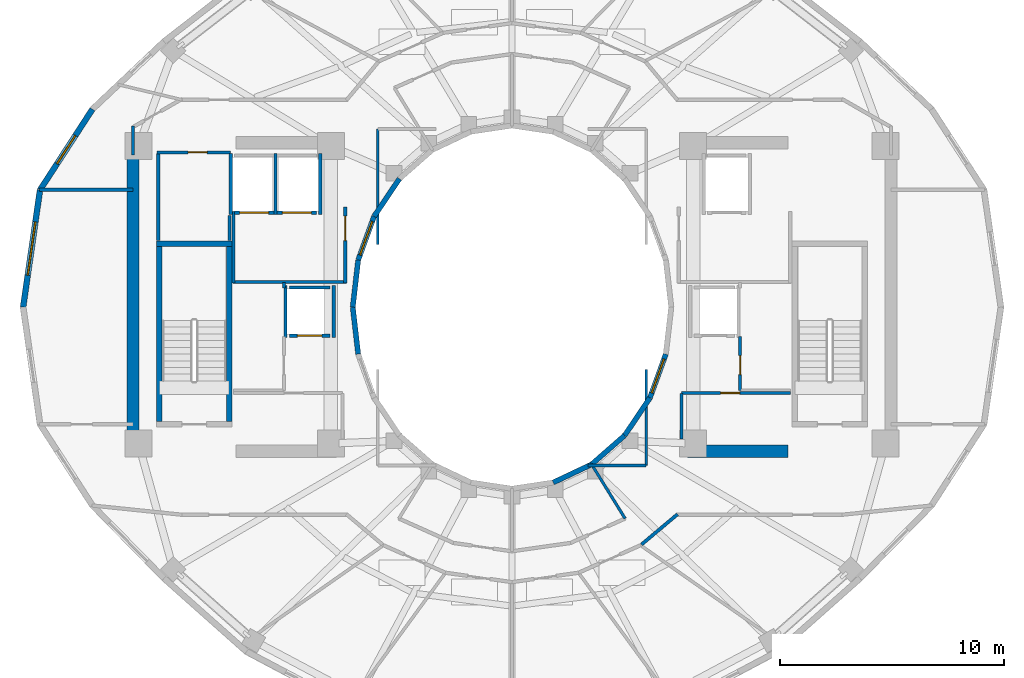
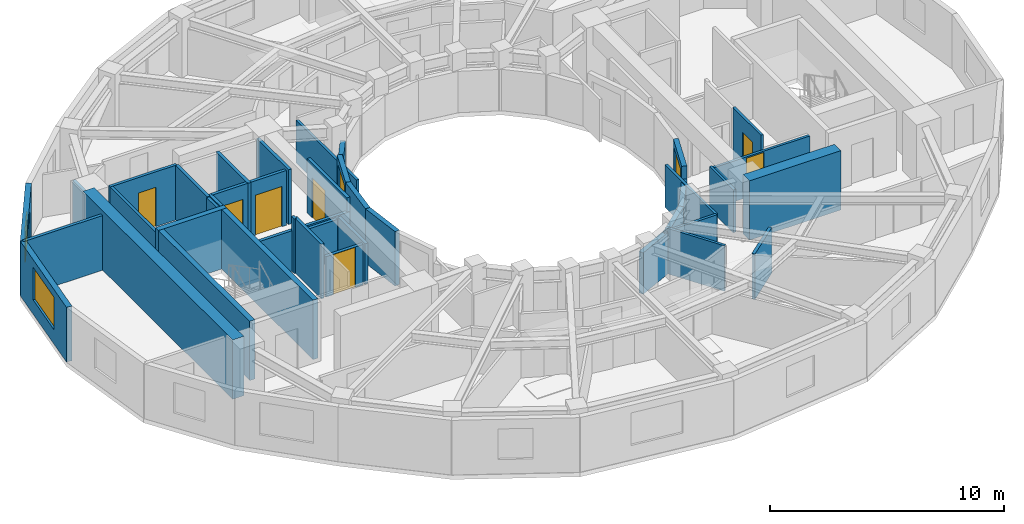
# One storey, part 4 of 9: 41 walls, 7 doors, 4 windows, 11 openings.
"""IFC4 building model written with IfcOpenShell, lengths in metres."""

from ifc_helpers import new_model, si_unit, direction, frame, frame_2d, origin, place, context, subcontext, project, spatial, rectangle, extrude, material, layer, layer_set, type_object, element, fill, save


model = new_model("IFC4")

# Units and contexts
model_context = context("Model", 3, precision=1e-05, world=origin(), true_north=direction((0.0, 1.0)))
body_context = subcontext(model_context, "Body", "Model", "MODEL_VIEW")
ifc_project = project(units=[si_unit("LENGTHUNIT", "METRE"), si_unit("AREAUNIT", "SQUARE_METRE"), si_unit("VOLUMEUNIT", "CUBIC_METRE"), si_unit("PLANEANGLEUNIT", "RADIAN"), si_unit("MASSUNIT", "GRAM", prefix="KILO")], contexts=[model_context])

# Site, building, storey
site_placement = place(None, origin())
site = spatial("IfcSite", under=ifc_project, at=site_placement, CompositionType="ELEMENT")
building_placement = place(site_placement, origin())
building = spatial("IfcBuilding", under=site, at=building_placement, Name="Solvane Sanctuary Tower", CompositionType="ELEMENT")
storey_placement = place(building_placement, frame((0.0, 0.0, 229.5)))
storey = spatial("IfcBuildingStorey", under=building, at=storey_placement, Name="L70", CompositionType="ELEMENT", Elevation=229.5)

# Walls
ifc_material_1 = material(Name="Concrete C50/60", Category="concrete")
ifc_layer_1 = layer(ifc_material_1, 0.550048828125, Name="Concrete C50/60")
ifc_layer_set_1 = layer_set([ifc_layer_1], Name="Concrete C50/60")
wall_type_1 = type_object("IfcWallType", Name="Wall W-CORE-550", PredefinedType="SHEAR", material=ifc_layer_set_1)
wall_1_placement = place(storey_placement, frame((15.050048828125, 17.050048828125, 0.0), z_axis=(0.0, 0.0, 1.0), x_axis=(0.0, 1.0, 0.0)))
element("IfcWall", 1, at=wall_1_placement, inside=storey, type_object=wall_type_1, Name="L70 Core Shear Wall WC-W", PredefinedType="SHEAR", context=body_context, shape_type="SweptSolid", body=[
    extrude(rectangle(XDim=12.800048828125, YDim=0.550048828125, at=frame_2d((6.39990234375, 0.0))), origin(), (0.0, 0.0, 1.0), 3.10009765625),
])
wall_2_placement = place(storey_placement, frame((39.85009765625, 16.550048828125, 0.0), z_axis=(0.0, 0.0, 1.0), x_axis=(1.0, 0.0, 0.0)))
element("IfcWall", 2, at=wall_2_placement, inside=storey, type_object=wall_type_1, Name="L70 Core Shear Wall EC-S", PredefinedType="SHEAR", context=body_context, shape_type="SweptSolid", body=[
    extrude(rectangle(XDim=4.5, YDim=0.550048828125, at=frame_2d((2.25, 0.0))), origin(), (0.0, 0.0, 1.0), 3.10009765625),
])
ifc_material_2 = material(Name="Acoustic Gypsum Partition Board")
ifc_layer_2 = layer(ifc_material_2, 0.14990234375, Name="Acoustic Gypsum Partition Board")
ifc_layer_set_2 = layer_set([ifc_layer_2], Name="Acoustic Gypsum Partition Board")
wall_type_2 = type_object("IfcWallType", Name="Wall W-CORR-150", PredefinedType="PARTITIONING", material=ifc_layer_set_2)
wall_3_placement = place(storey_placement, frame((19.52001953125, 24.1201171875, 0.0), z_axis=(0.0, 0.0, 1.0), x_axis=(1.0, 0.0, 0.0)))
element("IfcWall", 3, at=wall_3_placement, inside=storey, type_object=wall_type_2, Name="L70 West Firefighting Lobby South Wall", PredefinedType="PARTITIONING", context=body_context, shape_type="SweptSolid", body=[
    extrude(rectangle(XDim=5.080078125, YDim=0.14990234375, at=frame_2d((2.5400390625, 0.0))), origin(), (0.0, 0.0, 1.0), 2.1201171875),
])
wall_4_placement = place(storey_placement, frame((19.550048828125, 24.080078125, 0.0), z_axis=(0.0, 0.0, 1.0), x_axis=(0.0, 1.0, 0.0)))
element("IfcWall", 4, at=wall_4_placement, inside=storey, type_object=wall_type_2, Name="L70 West Firefighting Lobby West Wall", PredefinedType="PARTITIONING", context=body_context, shape_type="SweptSolid", body=[
    extrude(rectangle(XDim=3.199951171875, YDim=0.14990234375, at=frame_2d((1.60009765625, 0.0))), origin(), (0.0, 0.0, 1.0), 2.85498046875),
])

# Wall, opening, door
wall_5_placement = place(storey_placement, frame((24.550048828125, 24.080078125, 0.0), z_axis=(0.0, 0.0, 1.0), x_axis=(0.0, 1.0, 0.0)))
wall_5 = element("IfcWall", 5, at=wall_5_placement, inside=storey, type_object=wall_type_2, Name="L70 West Firefighting Lobby East Wall", PredefinedType="PARTITIONING", context=body_context, shape_type="SweptSolid", body=[
    extrude(rectangle(XDim=3.39990234375, YDim=0.14990234375, at=frame_2d((1.699951171875, 0.0))), origin(), (0.0, 0.0, 1.0), 2.85498046875),
])
opening_1_placement = place(wall_5_placement, frame((1.893798828125, 0.0, 0.0)))
opening_1 = element("IfcOpeningElement", 6, at=opening_1_placement, cuts=wall_5, Name="Opening D-L70-03", PredefinedType="OPENING", context=body_context, shape_type="SweptSolid", body=[
    extrude(rectangle(XDim=1.10009765625, YDim=2.10009765625, at=frame_2d((0.550048828125, 1.050048828125))), frame((0.0, 0.0849609375, 0.0), z_axis=(0.0, -1.0, 0.0), x_axis=(1.0, 0.0, 0.0)), (0.0, 0.0, 1.0), 0.169921875),
])
ifc_material_3 = material(Name="Architectural Stainless Steel 316", Category="steel")
door_type_1 = type_object("IfcDoorType", Name="Door D-FFL", OperationType="NOTDEFINED", PredefinedType="DOOR", material=ifc_material_3)
door_1_placement = place(opening_1_placement, origin())
door_1 = element("IfcDoor", 7, at=door_1_placement, inside=storey, type_object=door_type_1, Name="L70 West Firefighting Lobby Fire Door", OperationType="SINGLE_SWING_RIGHT", OverallHeight=2.10009765625, OverallWidth=1.10009765625, PredefinedType="DOOR", context=body_context, shape_type="SweptSolid", body=[
    extrude(rectangle(XDim=1.10009765625, YDim=2.10009765625, at=frame_2d((0.550048828125, 1.050048828125))), frame((0.0, 0.02490234375, 0.0), z_axis=(0.0, -1.0, 0.0), x_axis=(1.0, 0.0, 0.0)), (0.0, 0.0, 1.0), 0.050048828125),
])
fill(opening_1, door_1)

# Walls
wall_6_placement = place(storey_placement, frame((10.87548828125, 28.245361328125, 0.0), z_axis=(0.0, 0.0, 1.0), x_axis=(1.0, 0.0, 0.0)))
element("IfcWall", 8, at=wall_6_placement, inside=storey, type_object=wall_type_2, Name="L70 West Shoulder North Wall", PredefinedType="PARTITIONING", context=body_context, shape_type="SweptSolid", body=[
    extrude(rectangle(XDim=4.174560546875, YDim=0.14990234375, at=frame_2d((2.08740234375, 0.0))), origin(), (0.0, 0.0, 1.0), 2.85498046875),
])
wall_7_placement = place(storey_placement, frame((15.050048828125, 29.800048828125, 0.0), z_axis=(0.0, 0.0, 1.0), x_axis=(0.0, 1.0, 0.0)))
element("IfcWall", 9, at=wall_7_placement, inside=storey, type_object=wall_type_2, Name="L70 NW Corner Closer 1", PredefinedType="PARTITIONING", context=body_context, shape_type="SweptSolid", body=[
    extrude(rectangle(XDim=1.2900390625, YDim=0.14990234375, at=frame_2d((0.64501953125, 0.0))), origin(), (0.0, 0.0, 1.0), 2.85498046875),
])
wall_8_placement = place(storey_placement, frame((37.791015625, 12.385009765625, 0.0), z_axis=(0.0, 0.0, 1.0), x_axis=(0.765677451641, 0.643224719711, 0.0)))
element("IfcWall", 10, at=wall_8_placement, inside=storey, type_object=wall_type_2, Name="L70 SE Corner Throat Wall", PredefinedType="PARTITIONING", context=body_context, shape_type="SweptSolid", body=[
    extrude(rectangle(XDim=2.10546875, YDim=0.14990234375, at=frame_2d((1.052734375, 0.0))), origin(), (0.0, 0.0, 1.0), 2.3759765625),
])

# Wall, opening, window
ifc_material_4 = material(Name="Precast concrete C40/50", Category="concrete")
ifc_layer_3 = layer(ifc_material_4, 0.260009765625, Name="Precast concrete C40/50")
ifc_layer_set_3 = layer_set([ifc_layer_3], Name="Precast concrete C40/50")
wall_type_3 = type_object("IfcWallType", Name="Wall W-EXT-250", PredefinedType="STANDARD", material=ifc_layer_set_3)
wall_9_placement = place(storey_placement, frame((13.239013671875, 31.849365234375, 0.0), z_axis=(0.0, 0.0, 1.0), x_axis=(-0.544475908819, -0.838776480784, 0.0)))
wall_9 = element("IfcWall", 11, at=wall_9_placement, inside=storey, type_object=wall_type_3, Name="L70 Ceramic-Printed Facade Wall 10", PredefinedType="STANDARD", context=body_context, shape_type="SweptSolid", body=[
    extrude(rectangle(XDim=4.3046875, YDim=0.260009765625, at=frame_2d((2.15234375, 0.0))), origin(), (0.0, 0.0, 1.0), 2.85009765625),
])
opening_2_placement = place(wall_9_placement, frame((1.40234375, 0.0, 0.75)))
opening_2 = element("IfcOpeningElement", 12, at=opening_2_placement, cuts=wall_9, Name="Opening WN-OPER-1500", PredefinedType="OPENING", context=body_context, shape_type="SweptSolid", body=[
    extrude(rectangle(XDim=1.5, YDim=1.60009765625, at=frame_2d((0.75, 0.800048828125))), frame((0.0, 0.139892578125, 0.0), z_axis=(0.0, -1.0, 0.0), x_axis=(1.0, 0.0, 0.0)), (0.0, 0.0, 1.0), 0.280029296875),
])
ifc_material_5 = material(Name="Dark Ceramic-Fritted Low-E Glass", Category="glass")
window_type_1 = type_object("IfcWindowType", Name="Window WN-OPER-1500", PartitioningType="SINGLE_PANEL", PredefinedType="WINDOW", material=ifc_material_5)
window_1_placement = place(opening_2_placement, origin())
window_1 = element("IfcWindow", 13, at=window_1_placement, inside=storey, type_object=window_type_1, Name="L70 Operable Facade Window 10", OverallHeight=1.60009765625, OverallWidth=1.5, PartitioningType="SINGLE_PANEL", PredefinedType="WINDOW", context=body_context, shape_type="SweptSolid", body=[
    extrude(rectangle(XDim=1.5, YDim=1.60009765625, at=frame_2d((0.75, 0.800048828125))), frame((0.0, 0.030029296875, 0.0), z_axis=(0.0, -1.0, 0.0), x_axis=(1.0, 0.0, 0.0)), (0.0, 0.0, 1.0), 0.06005859375),
])
fill(opening_2, window_1)

wall_10_placement = place(storey_placement, frame((10.895263671875, 28.23876953125, 0.0), z_axis=(0.0, 0.0, 1.0), x_axis=(-0.142712754019, -0.989764148593, 0.0)))
wall_10 = element("IfcWall", 14, at=wall_10_placement, inside=storey, type_object=wall_type_3, Name="L70 Ceramic-Printed Facade Wall 11", PredefinedType="STANDARD", context=body_context, shape_type="SweptSolid", body=[
    extrude(rectangle(XDim=5.29296875, YDim=0.260009765625, at=frame_2d((2.646484375, 0.0))), origin(), (0.0, 0.0, 1.0), 2.85009765625),
])
opening_3_placement = place(wall_10_placement, frame((1.446533203125, 0.0, 0.75)))
opening_3 = element("IfcOpeningElement", 15, at=opening_3_placement, cuts=wall_10, Name="Opening WN-RIB-2400", PredefinedType="OPENING", context=body_context, shape_type="SweptSolid", body=[
    extrude(rectangle(XDim=2.39990234375, YDim=1.699951171875, at=frame_2d((1.199951171875, 0.85009765625))), frame((0.0, 0.139892578125, 0.0), z_axis=(0.0, -1.0, 0.0), x_axis=(1.0, 0.0, 0.0)), (0.0, 0.0, 1.0), 0.280029296875),
])
window_type_2 = type_object("IfcWindowType", Name="Window WN-RIB-2400", PartitioningType="SINGLE_PANEL", PredefinedType="WINDOW", material=ifc_material_5)
window_2_placement = place(opening_3_placement, origin())
window_2 = element("IfcWindow", 16, at=window_2_placement, inside=storey, type_object=window_type_2, Name="L70 Operable Facade Window 11", OverallHeight=1.699951171875, OverallWidth=2.39990234375, PartitioningType="SINGLE_PANEL", PredefinedType="WINDOW", context=body_context, shape_type="SweptSolid", body=[
    extrude(rectangle(XDim=2.39990234375, YDim=1.699951171875, at=frame_2d((1.199951171875, 0.85009765625))), frame((0.0, 0.030029296875, 0.0), z_axis=(0.0, -1.0, 0.0), x_axis=(1.0, 0.0, 0.0)), (0.0, 0.0, 1.0), 0.06005859375),
])
fill(opening_3, window_2)

# Wall
ifc_layer_4 = layer(ifc_material_4, 0.22998046875, Name="Precast concrete C40/50")
ifc_layer_set_4 = layer_set([ifc_layer_4], Name="Precast concrete C40/50")
wall_type_4 = type_object("IfcWallType", Name="Wall W-EXT-SP220", PredefinedType="STANDARD", material=ifc_layer_set_4)
wall_11_placement = place(storey_placement, frame((26.96533203125, 28.74169921875, 0.0), z_axis=(0.0, 0.0, 1.0), x_axis=(-0.558197800898, -0.829707909492, 0.0)))
element("IfcWall", 17, at=wall_11_placement, inside=storey, type_object=wall_type_4, Name="L70 Central Light-Well Wall 09", PredefinedType="STANDARD", context=body_context, shape_type="SweptSolid", body=[
    extrude(rectangle(XDim=2.02685546875, YDim=0.22998046875, at=frame_2d((1.013427734375, 0.0))), origin(), (0.0, 0.0, 1.0), 2.159912109375),
])

# Wall, opening, window
wall_12_placement = place(storey_placement, frame((25.833984375, 27.06005859375, 0.0), z_axis=(0.0, 0.0, 1.0), x_axis=(-0.341423187295, -0.93990968033, 0.0)))
wall_12 = element("IfcWall", 18, at=wall_12_placement, inside=storey, type_object=wall_type_4, Name="L70 Central Light-Well Wall 10", PredefinedType="STANDARD", context=body_context, shape_type="SweptSolid", body=[
    extrude(rectangle(XDim=2.083740234375, YDim=0.22998046875, at=frame_2d((1.0419921875, 0.0))), origin(), (0.0, 0.0, 1.0), 2.840087890625),
])
opening_4_placement = place(wall_12_placement, frame((0.24169921875, 0.0, 0.85009765625)))
opening_4 = element("IfcOpeningElement", 19, at=opening_4_placement, cuts=wall_12, Name="Opening WN-WELL-1600", PredefinedType="OPENING", context=body_context, shape_type="SweptSolid", body=[
    extrude(rectangle(XDim=1.60009765625, YDim=1.64990234375, at=frame_2d((0.800048828125, 0.824951171875))), frame((0.0, 0.125, 0.0), z_axis=(0.0, -1.0, 0.0), x_axis=(1.0, 0.0, 0.0)), (0.0, 0.0, 1.0), 0.25),
])
ifc_material_6 = material(Name="Clear Laminated Light-Well Glass", Category="glass")
window_type_3 = type_object("IfcWindowType", Name="Window WN-WELL-1600", PartitioningType="SINGLE_PANEL", PredefinedType="WINDOW", material=ifc_material_6)
window_3_placement = place(opening_4_placement, origin())
window_3 = element("IfcWindow", 20, at=window_3_placement, inside=storey, type_object=window_type_3, Name="L70 Light-Well Daylight Window 10", OverallHeight=1.64990234375, OverallWidth=1.60009765625, PartitioningType="SINGLE_PANEL", PredefinedType="WINDOW", context=body_context, shape_type="SweptSolid", body=[
    extrude(rectangle(XDim=1.60009765625, YDim=1.64990234375, at=frame_2d((0.800048828125, 0.824951171875))), frame((0.0, 0.030029296875, 0.0), z_axis=(0.0, -1.0, 0.0), x_axis=(1.0, 0.0, 0.0)), (0.0, 0.0, 1.0), 0.06005859375),
])
fill(opening_4, window_3)

# Walls
for number, where, z_axis, x_axis, name in (
    (21, (25.12255859375, 25.1015625, 0.0), (0.0, 0.0, 1.0), (-0.114711713601, -0.993398823617, 0.0), "L70 Central Light-Well Wall 11"),
    (22, (24.8798828125, 23.0, 0.0), (0.0, 0.0, 1.0), (0.114711713601, -0.993398823617, 0.0), "L70 Central Light-Well Wall 12"),
):
    element("IfcWall", number, at=place(storey_placement, frame(where, z_axis=z_axis, x_axis=x_axis)), inside=storey, type_object=wall_type_4, Name=name, PredefinedType="STANDARD", context=body_context, shape_type="SweptSolid", body=[
        extrude(rectangle(XDim=2.115478515625, YDim=0.22998046875, at=frame_2d((1.0576171875, 0.0))), origin(), (0.0, 0.0, 1.0), 2.840087890625),
    ])
wall_13_placement = place(storey_placement, frame((33.8427734375, 15.15673828125, 0.0), z_axis=(0.0, 0.0, 1.0), x_axis=(0.904179699603, 0.427152280606, 0.0)))
element("IfcWall", 23, at=wall_13_placement, inside=storey, type_object=wall_type_4, Name="L70 Central Light-Well Wall 19", PredefinedType="STANDARD", context=body_context, shape_type="SweptSolid", body=[
    extrude(rectangle(XDim=1.899169921875, YDim=0.22998046875, at=frame_2d((0.94970703125, 0.0))), origin(), (0.0, 0.0, 1.0), 2.159912109375),
])
wall_14_placement = place(storey_placement, frame((35.56005859375, 15.968017578125, 0.0), z_axis=(0.0, 0.0, 1.0), x_axis=(0.752576694707, 0.658504607869, 0.0)))
element("IfcWall", 24, at=wall_14_placement, inside=storey, type_object=wall_type_4, Name="L70 Central Light-Well Wall 20", PredefinedType="STANDARD", context=body_context, shape_type="SweptSolid", body=[
    extrude(rectangle(XDim=1.95947265625, YDim=0.22998046875, at=frame_2d((0.979736328125, 0.0))), origin(), (0.0, 0.0, 1.0), 2.159912109375),
])
wall_15_placement = place(storey_placement, frame((37.03466796875, 17.25830078125, 0.0), z_axis=(0.0, 0.0, 1.0), x_axis=(0.558197800898, 0.829707909492, 0.0)))
element("IfcWall", 25, at=wall_15_placement, inside=storey, type_object=wall_type_4, Name="L70 Central Light-Well Wall 21", PredefinedType="STANDARD", context=body_context, shape_type="SweptSolid", body=[
    extrude(rectangle(XDim=2.02685546875, YDim=0.22998046875, at=frame_2d((1.013427734375, 0.0))), origin(), (0.0, 0.0, 1.0), 2.159912109375),
])

# Wall, opening, window
wall_16_placement = place(storey_placement, frame((38.166015625, 18.93994140625, 0.0), z_axis=(0.0, 0.0, 1.0), x_axis=(0.341423187295, 0.93990968033, 0.0)))
wall_16 = element("IfcWall", 26, at=wall_16_placement, inside=storey, type_object=wall_type_4, Name="L70 Central Light-Well Wall 22", PredefinedType="STANDARD", context=body_context, shape_type="SweptSolid", body=[
    extrude(rectangle(XDim=2.083740234375, YDim=0.22998046875, at=frame_2d((1.0419921875, 0.0))), origin(), (0.0, 0.0, 1.0), 2.840087890625),
])
opening_5_placement = place(wall_16_placement, frame((0.24169921875, 0.0, 0.85009765625)))
opening_5 = element("IfcOpeningElement", 27, at=opening_5_placement, cuts=wall_16, Name="Opening WN-WELL-1600", PredefinedType="OPENING", context=body_context, shape_type="SweptSolid", body=[
    extrude(rectangle(XDim=1.60009765625, YDim=1.64990234375, at=frame_2d((0.800048828125, 0.824951171875))), frame((0.0, 0.125, 0.0), z_axis=(0.0, -1.0, 0.0), x_axis=(1.0, 0.0, 0.0)), (0.0, 0.0, 1.0), 0.25),
])
window_4_placement = place(opening_5_placement, origin())
window_4 = element("IfcWindow", 28, at=window_4_placement, inside=storey, type_object=window_type_3, Name="L70 Light-Well Daylight Window 22", OverallHeight=1.64990234375, OverallWidth=1.60009765625, PartitioningType="SINGLE_PANEL", PredefinedType="WINDOW", context=body_context, shape_type="SweptSolid", body=[
    extrude(rectangle(XDim=1.60009765625, YDim=1.64990234375, at=frame_2d((0.800048828125, 0.824951171875))), frame((0.0, 0.030029296875, 0.0), z_axis=(0.0, -1.0, 0.0), x_axis=(1.0, 0.0, 0.0)), (0.0, 0.0, 1.0), 0.06005859375),
])
fill(opening_5, window_4)

# Wall, opening, door
ifc_layer_5 = layer(ifc_material_2, 0.125, Name="Acoustic Gypsum Partition Board")
ifc_layer_set_5 = layer_set([ifc_layer_5], Name="Acoustic Gypsum Partition Board")
wall_type_5 = type_object("IfcWallType", Name="Wall W-PART-125", PredefinedType="PARTITIONING", material=ifc_layer_set_5)
wall_17_placement = place(storey_placement, frame((39.580078125, 19.159912109375, 0.0), z_axis=(0.0, 0.0, 1.0), x_axis=(1.0, 0.0, 0.0)))
wall_17 = element("IfcWall", 29, at=wall_17_placement, inside=storey, type_object=wall_type_5, Name="L70 Reclaimed Room Partition PLE", PredefinedType="PARTITIONING", context=body_context, shape_type="SweptSolid", body=[
    extrude(rectangle(XDim=4.869873046875, YDim=0.125, at=frame_2d((2.43505859375, 0.0))), origin(), (0.0, 0.0, 1.0), 2.1201171875),
])
opening_6_placement = place(wall_17_placement, frame((1.748291015625, 0.0, 0.0)))
opening_6 = element("IfcOpeningElement", 30, at=opening_6_placement, cuts=wall_17, Name="Opening D-L70-06", PredefinedType="OPENING", context=body_context, shape_type="SweptSolid", body=[
    extrude(rectangle(XDim=0.85009765625, YDim=2.050048828125, at=frame_2d((0.425048828125, 1.02490234375))), frame((0.0, 0.072509765625, 0.0), z_axis=(0.0, -1.0, 0.0), x_axis=(1.0, 0.0, 0.0)), (0.0, 0.0, 1.0), 0.14501953125),
])
door_type_2 = type_object("IfcDoorType", Name="Door D-RISER", OperationType="NOTDEFINED", PredefinedType="DOOR", material=ifc_material_3)
door_2_placement = place(opening_6_placement, origin())
door_2 = element("IfcDoor", 31, at=door_2_placement, inside=storey, type_object=door_type_2, Name="L70 Reclaimed Room Door PLE-1", OperationType="SINGLE_SWING_LEFT", OverallHeight=2.050048828125, OverallWidth=0.85009765625, PredefinedType="DOOR", context=body_context, shape_type="SweptSolid", body=[
    extrude(rectangle(XDim=0.85009765625, YDim=2.050048828125, at=frame_2d((0.425048828125, 1.02490234375))), frame((0.0, 0.02490234375, 0.0), z_axis=(0.0, -1.0, 0.0), x_axis=(1.0, 0.0, 0.0)), (0.0, 0.0, 1.0), 0.050048828125),
])
fill(opening_6, door_2)

# Walls
wall_18_placement = place(storey_placement, frame((39.580078125, 17.10009765625, 0.0), z_axis=(0.0, 0.0, 1.0), x_axis=(0.0, 1.0, 0.0)))
element("IfcWall", 32, at=wall_18_placement, inside=storey, type_object=wall_type_5, Name="L70 Reclaimed Room Closer Wall PLE-1", PredefinedType="PARTITIONING", context=body_context, shape_type="SweptSolid", body=[
    extrude(rectangle(XDim=2.039794921875, YDim=0.125, at=frame_2d((1.02001953125, 0.0))), origin(), (0.0, 0.0, 1.0), 2.23193359375),
])
wall_19_placement = place(storey_placement, frame((21.800048828125, 23.85009765625, 0.0), z_axis=(0.0, 0.0, 1.0), x_axis=(0.0, 1.0, 0.0)))
element("IfcWall", 33, at=wall_19_placement, inside=storey, type_object=wall_type_5, Name="L70 Reclaimed Room Dividing Wall PMW", PredefinedType="PARTITIONING", context=body_context, shape_type="SweptSolid", body=[
    extrude(rectangle(XDim=0.25, YDim=0.125, at=frame_2d((0.125, 0.0))), origin(), (0.0, 0.0, 1.0), 2.85498046875),
])

# Wall, opening, door
wall_20_placement = place(storey_placement, frame((42.199951171875, 19.280029296875, 0.0), z_axis=(0.0, 0.0, 1.0), x_axis=(0.0, 1.0, 0.0)))
wall_20 = element("IfcWall", 34, at=wall_20_placement, inside=storey, type_object=wall_type_5, Name="L70 Reclaimed Room Partition PME", PredefinedType="PARTITIONING", context=body_context, shape_type="SweptSolid", body=[
    extrude(rectangle(XDim=2.39990234375, YDim=0.125, at=frame_2d((1.199951171875, 0.0))), origin(), (0.0, 0.0, 1.0), 2.85498046875),
])
opening_7_placement = place(wall_20_placement, frame((0.699951171875, 0.0, 0.0)))
opening_7 = element("IfcOpeningElement", 35, at=opening_7_placement, cuts=wall_20, Name="Opening D-L70-08", PredefinedType="OPENING", context=body_context, shape_type="SweptSolid", body=[
    extrude(rectangle(XDim=0.85009765625, YDim=2.050048828125, at=frame_2d((0.425048828125, 1.02490234375))), frame((0.0, 0.072509765625, 0.0), z_axis=(0.0, -1.0, 0.0), x_axis=(1.0, 0.0, 0.0)), (0.0, 0.0, 1.0), 0.14501953125),
])
door_3_placement = place(opening_7_placement, origin())
door_3 = element("IfcDoor", 36, at=door_3_placement, inside=storey, type_object=door_type_2, Name="L70 Reclaimed Room Door PME-1", OperationType="SINGLE_SWING_LEFT", OverallHeight=2.050048828125, OverallWidth=0.85009765625, PredefinedType="DOOR", context=body_context, shape_type="SweptSolid", body=[
    extrude(rectangle(XDim=0.85009765625, YDim=2.050048828125, at=frame_2d((0.425048828125, 1.02490234375))), frame((0.0, 0.02490234375, 0.0), z_axis=(0.0, -1.0, 0.0), x_axis=(1.0, 0.0, 0.0)), (0.0, 0.0, 1.0), 0.050048828125),
])
fill(opening_7, door_3)

# Walls
wall_21_placement = place(storey_placement, frame((35.550048828125, 15.985107421875, 0.0), z_axis=(0.0, 0.0, 1.0), x_axis=(0.52592395012, -0.850531597702, 0.0)))
element("IfcWall", 37, at=wall_21_placement, inside=storey, type_object=wall_type_5, Name="L70 South Light-Well Radial Wall 300", PredefinedType="PARTITIONING", context=body_context, shape_type="SweptSolid", body=[
    extrude(rectangle(XDim=2.869384765625, YDim=0.125, at=frame_2d((1.4345703125, 0.0))), origin(), (0.0, 0.0, 1.0), 2.3759765625),
])
wall_22_placement = place(storey_placement, frame((26.0, 25.800048828125, 0.0), z_axis=(0.0, 0.0, 1.0), x_axis=(0.0, 1.0, 0.0)))
element("IfcWall", 38, at=wall_22_placement, inside=storey, type_object=wall_type_5, Name="L70 Bridge Alcove Wall 1", PredefinedType="PARTITIONING", context=body_context, shape_type="SweptSolid", body=[
    extrude(rectangle(XDim=5.159912109375, YDim=0.125, at=frame_2d((2.580078125, 0.0))), origin(), (0.0, 0.0, 1.0), 2.23193359375),
])
wall_23_placement = place(storey_placement, frame((38.0, 15.919921875, 0.0), z_axis=(0.0, 0.0, 1.0), x_axis=(0.0, 1.0, 0.0)))
element("IfcWall", 39, at=wall_23_placement, inside=storey, type_object=wall_type_5, Name="L70 Bridge Alcove Wall 7", PredefinedType="PARTITIONING", context=body_context, shape_type="SweptSolid", body=[
    extrude(rectangle(XDim=4.280029296875, YDim=0.125, at=frame_2d((2.14013671875, 0.0))), origin(), (0.0, 0.0, 1.0), 2.23193359375),
])
wall_24_placement = place(storey_placement, frame((35.39990234375, 15.919921875, 0.0), z_axis=(0.0, 0.0, 1.0), x_axis=(1.0, 0.0, 0.0)))
element("IfcWall", 40, at=wall_24_placement, inside=storey, type_object=wall_type_5, Name="L70 Bridge Alcove Wall 8", PredefinedType="PARTITIONING", context=body_context, shape_type="SweptSolid", body=[
    extrude(rectangle(XDim=2.60009765625, YDim=0.125, at=frame_2d((1.300048828125, 0.0))), origin(), (0.0, 0.0, 1.0), 2.23193359375),
])

# Wall, opening, door
ifc_layer_6 = layer(ifc_material_1, 0.14990234375, Name="Concrete C50/60")
ifc_layer_set_6 = layer_set([ifc_layer_6], Name="Concrete C50/60")
wall_type_6 = type_object("IfcWallType", Name="Wall W-SHAFT-150", PredefinedType="SOLIDWALL", material=ifc_layer_set_6)
wall_25_placement = place(storey_placement, frame((22.0400390625, 21.719970703125, 0.0), z_axis=(0.0, 0.0, 1.0), x_axis=(1.0, 0.0, 0.0)))
wall_25 = element("IfcWall", 41, at=wall_25_placement, inside=storey, type_object=wall_type_6, Name="L70 PH-1 Lift Shaft Wall F", PredefinedType="SOLIDWALL", context=body_context, shape_type="SweptSolid", body=[
    extrude(rectangle(XDim=1.820068359375, YDim=0.14990234375, at=frame_2d((0.91015625, 0.0))), origin(), (0.0, 0.0, 1.0), 2.1201171875),
])
opening_8_placement = place(wall_25_placement, frame((0.360107421875, 0.0, 0.0)))
opening_8 = element("IfcOpeningElement", 42, at=opening_8_placement, cuts=wall_25, Name="Opening LD-L70-01", PredefinedType="OPENING", context=body_context, shape_type="SweptSolid", body=[
    extrude(rectangle(XDim=1.10009765625, YDim=2.10009765625, at=frame_2d((0.550048828125, 1.050048828125))), frame((0.0, 0.0849609375, 0.0), z_axis=(0.0, -1.0, 0.0), x_axis=(1.0, 0.0, 0.0)), (0.0, 0.0, 1.0), 0.169921875),
])
door_type_3 = type_object("IfcDoorType", Name="Door LD-PASS-1100", OperationType="NOTDEFINED", PredefinedType="DOOR", material=ifc_material_3)
door_4_placement = place(opening_8_placement, origin())
door_4 = element("IfcDoor", 43, at=door_4_placement, inside=storey, type_object=door_type_3, Name="L70 PH-1 Lift Landing Door", OperationType="DOUBLE_DOOR_SLIDING", OverallHeight=2.10009765625, OverallWidth=1.10009765625, PredefinedType="DOOR", context=body_context, shape_type="SweptSolid", body=[
    extrude(rectangle(XDim=1.10009765625, YDim=2.10009765625, at=frame_2d((0.550048828125, 1.050048828125))), frame((0.0, 0.02490234375, 0.0), z_axis=(0.0, -1.0, 0.0), x_axis=(1.0, 0.0, 0.0)), (0.0, 0.0, 1.0), 0.050048828125),
])
fill(opening_8, door_4)

# Walls
wall_26_placement = place(storey_placement, frame((22.0400390625, 23.8798828125, 0.0), z_axis=(0.0, 0.0, 1.0), x_axis=(1.0, 0.0, 0.0)))
element("IfcWall", 44, at=wall_26_placement, inside=storey, type_object=wall_type_6, Name="L70 PH-1 Lift Shaft Wall B", PredefinedType="SOLIDWALL", context=body_context, shape_type="SweptSolid", body=[
    extrude(rectangle(XDim=1.820068359375, YDim=0.14990234375, at=frame_2d((0.91015625, 0.0))), origin(), (0.0, 0.0, 1.0), 2.1201171875),
])
wall_27_placement = place(storey_placement, frame((21.8701171875, 21.639892578125, 0.0), z_axis=(0.0, 0.0, 1.0), x_axis=(0.0, 1.0, 0.0)))
element("IfcWall", 45, at=wall_27_placement, inside=storey, type_object=wall_type_6, Name="L70 PH-1 Lift Shaft Wall S1", PredefinedType="SOLIDWALL", context=body_context, shape_type="SweptSolid", body=[
    extrude(rectangle(XDim=2.320068359375, YDim=0.14990234375, at=frame_2d((1.16015625, 0.0))), origin(), (0.0, 0.0, 1.0), 2.85498046875),
])
wall_28_placement = place(storey_placement, frame((24.030029296875, 21.639892578125, 0.0), z_axis=(0.0, 0.0, 1.0), x_axis=(0.0, 1.0, 0.0)))
element("IfcWall", 46, at=wall_28_placement, inside=storey, type_object=wall_type_6, Name="L70 PH-1 Lift Shaft Wall S2", PredefinedType="SOLIDWALL", context=body_context, shape_type="SweptSolid", body=[
    extrude(rectangle(XDim=2.320068359375, YDim=0.14990234375, at=frame_2d((1.16015625, 0.0))), origin(), (0.0, 0.0, 1.0), 2.1201171875),
])

# Wall, opening, door
wall_29_placement = place(storey_placement, frame((19.590087890625, 27.219970703125, 0.0), z_axis=(0.0, 0.0, 1.0), x_axis=(1.0, 0.0, 0.0)))
wall_29 = element("IfcWall", 47, at=wall_29_placement, inside=storey, type_object=wall_type_6, Name="L70 FFL-1 Lift Shaft Wall F", PredefinedType="SOLIDWALL", context=body_context, shape_type="SweptSolid", body=[
    extrude(rectangle(XDim=1.760009765625, YDim=0.14990234375, at=frame_2d((0.8798828125, 0.0))), origin(), (0.0, 0.0, 1.0), 2.85498046875),
])
opening_9_placement = place(wall_29_placement, frame((0.22998046875, 0.0, 0.0)))
opening_9 = element("IfcOpeningElement", 48, at=opening_9_placement, cuts=wall_29, Name="Opening LD-L70-03", PredefinedType="OPENING", context=body_context, shape_type="SweptSolid", body=[
    extrude(rectangle(XDim=1.300048828125, YDim=2.10009765625, at=frame_2d((0.64990234375, 1.050048828125))), frame((0.0, 0.0849609375, 0.0), z_axis=(0.0, -1.0, 0.0), x_axis=(1.0, 0.0, 0.0)), (0.0, 0.0, 1.0), 0.169921875),
])
door_type_4 = type_object("IfcDoorType", Name="Door LD-FFL-1300", OperationType="NOTDEFINED", PredefinedType="DOOR", material=ifc_material_3)
door_5_placement = place(opening_9_placement, origin())
door_5 = element("IfcDoor", 49, at=door_5_placement, inside=storey, type_object=door_type_4, Name="L70 FFL-1 Lift Landing Door", OperationType="DOUBLE_DOOR_SLIDING", OverallHeight=2.10009765625, OverallWidth=1.300048828125, PredefinedType="DOOR", context=body_context, shape_type="SweptSolid", body=[
    extrude(rectangle(XDim=1.300048828125, YDim=2.10009765625, at=frame_2d((0.64990234375, 1.050048828125))), frame((0.0, 0.02490234375, 0.0), z_axis=(0.0, -1.0, 0.0), x_axis=(1.0, 0.0, 0.0)), (0.0, 0.0, 1.0), 0.050048828125),
])
fill(opening_9, door_5)

# Walls
for number, where, z_axis, x_axis, name in (
    (50, (19.419921875, 27.139892578125, 0.0), (0.0, 0.0, 1.0), (0.0, 1.0, 0.0), "L70 FFL-1 Lift Shaft Wall S1"),
    (51, (21.425048828125, 27.139892578125, 0.0), (0.0, 0.0, 1.0), (0.0, 1.0, 0.0), "L70 FFL-1 Lift Shaft Wall S2"),
):
    element("IfcWall", number, at=place(storey_placement, frame(where, z_axis=z_axis, x_axis=x_axis)), inside=storey, type_object=wall_type_6, Name=name, PredefinedType="SOLIDWALL", context=body_context, shape_type="SweptSolid", body=[
        extrude(rectangle(XDim=2.72021484375, YDim=0.14990234375, at=frame_2d((1.360107421875, 0.0))), origin(), (0.0, 0.0, 1.0), 2.85498046875),
    ])

# Wall, opening, door
wall_30_placement = place(storey_placement, frame((21.5, 27.219970703125, 0.0), z_axis=(0.0, 0.0, 1.0), x_axis=(1.0, 0.0, 0.0)))
wall_30 = element("IfcWall", 52, at=wall_30_placement, inside=storey, type_object=wall_type_6, Name="L70 SVL-1 Lift Shaft Wall F", PredefinedType="SOLIDWALL", context=body_context, shape_type="SweptSolid", body=[
    extrude(rectangle(XDim=1.760009765625, YDim=0.14990234375, at=frame_2d((0.8798828125, 0.0))), origin(), (0.0, 0.0, 1.0), 2.85498046875),
])
opening_10_placement = place(wall_30_placement, frame((0.22998046875, 0.0, 0.0)))
opening_10 = element("IfcOpeningElement", 53, at=opening_10_placement, cuts=wall_30, Name="Opening LD-L70-04", PredefinedType="OPENING", context=body_context, shape_type="SweptSolid", body=[
    extrude(rectangle(XDim=1.300048828125, YDim=2.10009765625, at=frame_2d((0.64990234375, 1.050048828125))), frame((0.0, 0.0849609375, 0.0), z_axis=(0.0, -1.0, 0.0), x_axis=(1.0, 0.0, 0.0)), (0.0, 0.0, 1.0), 0.169921875),
])
door_6_placement = place(opening_10_placement, origin())
door_6 = element("IfcDoor", 54, at=door_6_placement, inside=storey, type_object=door_type_4, Name="L70 SVL-1 Lift Landing Door", OperationType="DOUBLE_DOOR_SLIDING", OverallHeight=2.10009765625, OverallWidth=1.300048828125, PredefinedType="DOOR", context=body_context, shape_type="SweptSolid", body=[
    extrude(rectangle(XDim=1.300048828125, YDim=2.10009765625, at=frame_2d((0.64990234375, 1.050048828125))), frame((0.0, 0.02490234375, 0.0), z_axis=(0.0, -1.0, 0.0), x_axis=(1.0, 0.0, 0.0)), (0.0, 0.0, 1.0), 0.050048828125),
])
fill(opening_10, door_6)

# Walls
wall_31_placement = place(storey_placement, frame((23.429931640625, 27.139892578125, 0.0), z_axis=(0.0, 0.0, 1.0), x_axis=(0.0, 1.0, 0.0)))
element("IfcWall", 55, at=wall_31_placement, inside=storey, type_object=wall_type_6, Name="L70 SVL-1 Lift Shaft Wall S2", PredefinedType="SOLIDWALL", context=body_context, shape_type="SweptSolid", body=[
    extrude(rectangle(XDim=2.72021484375, YDim=0.14990234375, at=frame_2d((1.360107421875, 0.0))), origin(), (0.0, 0.0, 1.0), 2.85498046875),
])
ifc_layer_7 = layer(ifc_material_1, 0.25, Name="Concrete C50/60")
ifc_layer_set_7 = layer_set([ifc_layer_7], Name="Concrete C50/60")
wall_type_7 = type_object("IfcWallType", Name="Wall W-SHAFT-250", PredefinedType="SOLIDWALL", material=ifc_layer_set_7)
wall_32_placement = place(storey_placement, frame((16.10498046875, 25.830078125, 0.0), z_axis=(0.0, 0.0, 1.0), x_axis=(1.0, 0.0, 0.0)))
element("IfcWall", 56, at=wall_32_placement, inside=storey, type_object=wall_type_7, Name="L70 ST-1 Load-Bearing Shaft Wall N", PredefinedType="SOLIDWALL", context=body_context, shape_type="SweptSolid", body=[
    extrude(rectangle(XDim=3.3701171875, YDim=0.25, at=frame_2d((1.68505859375, 0.0))), origin(), (0.0, 0.0, 1.0), 3.10009765625),
])
for number, where, z_axis, x_axis, name in (
    (57, (16.22998046875, 17.89501953125, 0.0), (0.0, 0.0, 1.0), (0.0, 1.0, 0.0), "L70 ST-1 Load-Bearing Shaft Wall W"),
    (58, (19.35009765625, 17.89501953125, 0.0), (0.0, 0.0, 1.0), (0.0, 1.0, 0.0), "L70 ST-1 Load-Bearing Shaft Wall E"),
):
    element("IfcWall", number, at=place(storey_placement, frame(where, z_axis=z_axis, x_axis=x_axis)), inside=storey, type_object=wall_type_7, Name=name, PredefinedType="SOLIDWALL", context=body_context, shape_type="SweptSolid", body=[
        extrude(rectangle(XDim=7.81005859375, YDim=0.25, at=frame_2d((3.905029296875, 0.0))), origin(), (0.0, 0.0, 1.0), 3.10009765625),
    ])

# Wall, opening, door
ifc_layer_8 = layer(ifc_material_2, 0.139892578125, Name="Acoustic Gypsum Partition Board")
ifc_layer_set_8 = layer_set([ifc_layer_8], Name="Acoustic Gypsum Partition Board")
wall_type_8 = type_object("IfcWallType", Name="Wall W-WET-140", PredefinedType="PLUMBINGWALL", material=ifc_layer_set_8)
wall_33_placement = place(storey_placement, frame((16.1201171875, 29.919921875, 0.0), z_axis=(0.0, 0.0, 1.0), x_axis=(1.0, 0.0, 0.0)))
wall_33 = element("IfcWall", 59, at=wall_33_placement, inside=storey, type_object=wall_type_8, Name="L70 Core Service Front Wall KW0", PredefinedType="PLUMBINGWALL", context=body_context, shape_type="SweptSolid", body=[
    extrude(rectangle(XDim=3.2998046875, YDim=0.139892578125, at=frame_2d((1.64990234375, 0.0))), origin(), (0.0, 0.0, 1.0), 2.85498046875),
])
opening_11_placement = place(wall_33_placement, frame((1.3994140625, 0.0, 0.0)))
opening_11 = element("IfcOpeningElement", 60, at=opening_11_placement, cuts=wall_33, Name="Opening D-L70-09", PredefinedType="OPENING", context=body_context, shape_type="SweptSolid", body=[
    extrude(rectangle(XDim=0.85009765625, YDim=2.050048828125, at=frame_2d((0.425048828125, 1.02490234375))), frame((0.0, 0.079833984375, 0.0), z_axis=(0.0, -1.0, 0.0), x_axis=(1.0, 0.0, 0.0)), (0.0, 0.0, 1.0), 0.159912109375),
])
door_7_placement = place(opening_11_placement, origin())
door_7 = element("IfcDoor", 61, at=door_7_placement, inside=storey, type_object=door_type_2, Name="L70 Core Service Room Door KW0-1", OperationType="SINGLE_SWING_RIGHT", OverallHeight=2.050048828125, OverallWidth=0.85009765625, PredefinedType="DOOR", context=body_context, shape_type="SweptSolid", body=[
    extrude(rectangle(XDim=0.85009765625, YDim=2.050048828125, at=frame_2d((0.425048828125, 1.02490234375))), frame((0.0, 0.02490234375, 0.0), z_axis=(0.0, -1.0, 0.0), x_axis=(1.0, 0.0, 0.0)), (0.0, 0.0, 1.0), 0.050048828125),
])
fill(opening_11, door_7)

# Walls
wall_34_placement = place(storey_placement, frame((16.179931640625, 25.97998046875, 0.0), z_axis=(0.0, 0.0, 1.0), x_axis=(0.0, 1.0, 0.0)))
element("IfcWall", 62, at=wall_34_placement, inside=storey, type_object=wall_type_8, Name="L70 Core Service Side Wall KW0-1", PredefinedType="PLUMBINGWALL", context=body_context, shape_type="SweptSolid", body=[
    extrude(rectangle(XDim=3.880126953125, YDim=0.139892578125, at=frame_2d((1.93994140625, 0.0))), origin(), (0.0, 0.0, 1.0), 2.85498046875),
])
wall_35_placement = place(storey_placement, frame((19.360107421875, 25.97998046875, 0.0), z_axis=(0.0, 0.0, 1.0), x_axis=(0.0, 1.0, 0.0)))
element("IfcWall", 63, at=wall_35_placement, inside=storey, type_object=wall_type_8, Name="L70 Core Service Side Wall KW0-2", PredefinedType="PLUMBINGWALL", context=body_context, shape_type="SweptSolid", body=[
    extrude(rectangle(XDim=1.1201171875, YDim=0.139892578125, at=frame_2d((0.56005859375, 0.0))), origin(), (0.0, 0.0, 1.0), 2.85498046875),
])

save(model, "model.ifc")
